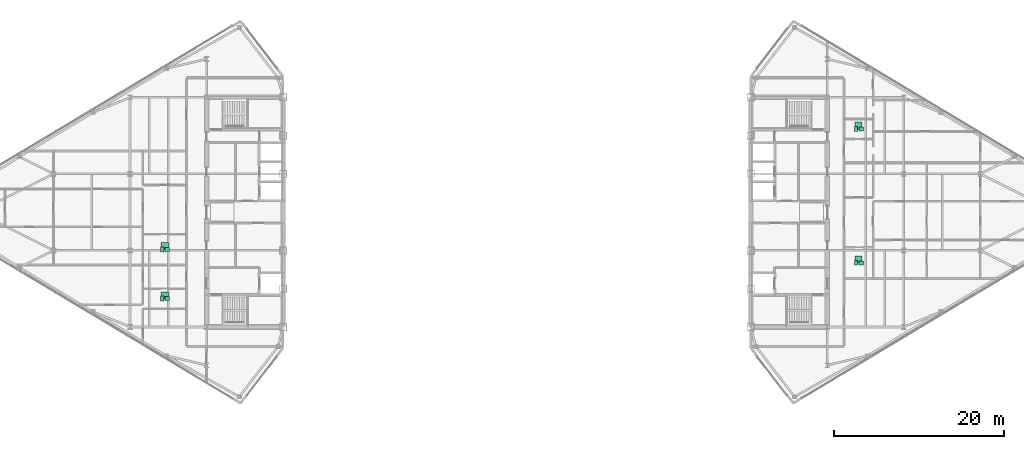
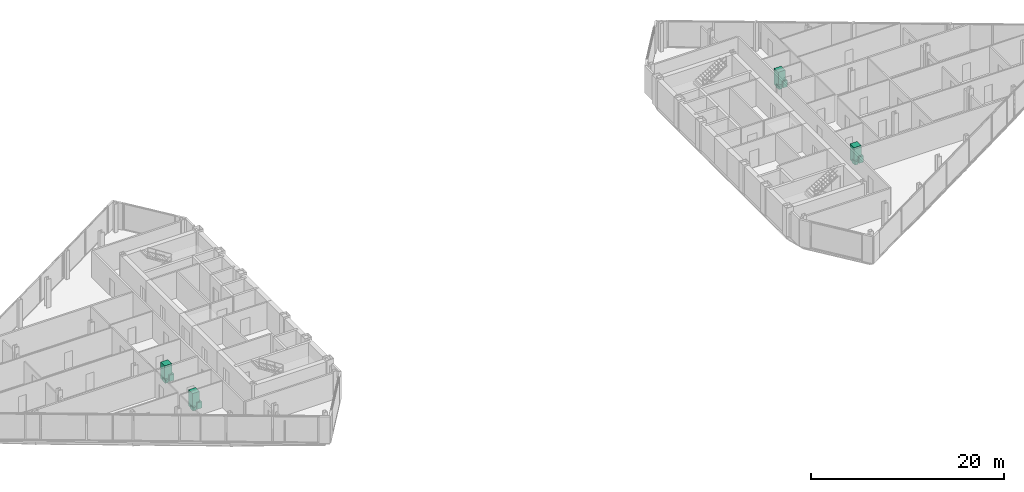
# One storey, part 26 of 26: 12 sanitary terminals.
"""IFC4 building model written with IfcOpenShell, lengths in metres."""

from ifc_helpers import new_model, si_unit, direction, frame, origin, origin_2d, place, context, subcontext, project, spatial, rectangle, extrude, source, transform, mapped, material, type_object, type_shapes, element, save


model = new_model("IFC4")

# Units and contexts
model_context = context("Model", 3, precision=1e-05, world=origin(), true_north=direction((0.0, 1.0)))
body_context = subcontext(model_context, "Body", "Model", "MODEL_VIEW")
ifc_project = project(units=[si_unit("LENGTHUNIT", "METRE"), si_unit("AREAUNIT", "SQUARE_METRE"), si_unit("VOLUMEUNIT", "CUBIC_METRE"), si_unit("PLANEANGLEUNIT", "RADIAN"), si_unit("MASSUNIT", "GRAM", prefix="KILO")], contexts=[model_context])

# Site, building, storey
site_placement = place(None, origin())
site = spatial("IfcSite", under=ifc_project, at=site_placement, CompositionType="ELEMENT")
building_placement = place(site_placement, origin())
building = spatial("IfcBuilding", under=site, at=building_placement, Name="Seokmaru Belvedere", CompositionType="ELEMENT")
storey_placement = place(building_placement, frame((0.0, 0.0, 199.5)))
storey = spatial("IfcBuildingStorey", under=building, at=storey_placement, Name="L53", CompositionType="ELEMENT", Elevation=199.5)

# Sanitary terminals
ifc_material_1 = material(Name="Vitreous China Sanitaryware")
sanitary_terminal_type_1 = type_object("IfcSanitaryTerminalType", Name="Wall-Hung Vitreous China WC Pan", PredefinedType="TOILETPAN", material=ifc_material_1)
shared_shape_1 = source(origin(), body_context, "Body", "SweptSolid", [
    extrude(rectangle(XDim=0.3798828125, YDim=0.56005859375, at=origin_2d()), origin(), (0.0, 0.0, 1.0), 0.419921875),
])
type_shapes(sanitary_terminal_type_1, [shared_shape_1])
for number, where, z_axis, x_axis, name in (
    (1, (-41.72509765625, -10.169921875, 0.0), (0.0, 0.0, 1.0), (1.0, 0.0, 0.0), "L53 Vitreous China WC 0255"),
    (2, (-41.72509765625, -4.39208984375, 0.0), (0.0, 0.0, 1.0), (1.0, 0.0, 0.0), "L53 Vitreous China WC 0256"),
    (3, (39.875, -5.965087890625, 0.0), (0.0, 0.0, 1.0), (1.0, 0.0, 0.0), "L53 Vitreous China WC 0257"),
    (4, (39.875, 9.77001953125, 0.0), (0.0, 0.0, 1.0), (1.0, 0.0, 0.0), "L53 Vitreous China WC 0258"),
):
    element("IfcSanitaryTerminal", number, at=place(storey_placement, frame(where, z_axis=z_axis, x_axis=x_axis)), inside=storey, type_object=sanitary_terminal_type_1, Name=name, PredefinedType="TOILETPAN", context=body_context, shape_type="MappedRepresentation", body=[
        mapped(shared_shape_1, transform((0.0, 0.0, 0.0), scale=1.0)),
    ])
sanitary_terminal_type_2 = type_object("IfcSanitaryTerminalType", Name="Countertop Ceramic Washhand Basin", PredefinedType="WASHHANDBASIN", material=ifc_material_1)
shared_shape_2 = source(origin(), body_context, "Body", "SweptSolid", [
    extrude(rectangle(XDim=0.550048828125, YDim=0.449951171875, at=origin_2d()), origin(), (0.0, 0.0, 1.0), 0.820068359375),
])
type_shapes(sanitary_terminal_type_2, [shared_shape_2])
for number, where, z_axis, x_axis, name in (
    (5, (-41.125, -10.169921875, 0.0), (0.0, 0.0, 1.0), (1.0, 0.0, 0.0), "L53 Ceramic Washhand Basin 0255"),
    (6, (-41.125, -4.39208984375, 0.0), (0.0, 0.0, 1.0), (1.0, 0.0, 0.0), "L53 Ceramic Washhand Basin 0256"),
    (7, (40.47509765625, -5.965087890625, 0.0), (0.0, 0.0, 1.0), (1.0, 0.0, 0.0), "L53 Ceramic Washhand Basin 0257"),
    (8, (40.47509765625, 9.77001953125, 0.0), (0.0, 0.0, 1.0), (1.0, 0.0, 0.0), "L53 Ceramic Washhand Basin 0258"),
):
    element("IfcSanitaryTerminal", number, at=place(storey_placement, frame(where, z_axis=z_axis, x_axis=x_axis)), inside=storey, type_object=sanitary_terminal_type_2, Name=name, PredefinedType="WASHHANDBASIN", context=body_context, shape_type="MappedRepresentation", body=[
        mapped(shared_shape_2, transform((0.0, 0.0, 0.0), scale=1.0)),
    ])
ifc_material_2 = material(Name="Stainless Steel 316", Category="steel")
sanitary_terminal_type_3 = type_object("IfcSanitaryTerminalType", Name="Walk-In Thermostatic Rain Shower Enclosure", PredefinedType="SHOWER", material=ifc_material_2)
shared_shape_3 = source(origin(), body_context, "Body", "SweptSolid", [
    extrude(rectangle(XDim=0.85009765625, YDim=0.85009765625, at=origin_2d()), origin(), (0.0, 0.0, 1.0), 2.050048828125),
])
type_shapes(sanitary_terminal_type_3, [shared_shape_3])
for number, where, z_axis, x_axis, name in (
    (9, (-41.425048828125, -9.7900390625, 0.0), (0.0, 0.0, 1.0), (1.0, 0.0, 0.0), "L53 Walk-In Shower 0255"),
    (10, (-41.425048828125, -4.011962890625, 0.0), (0.0, 0.0, 1.0), (1.0, 0.0, 0.0), "L53 Walk-In Shower 0256"),
    (11, (40.175048828125, -5.5849609375, 0.0), (0.0, 0.0, 1.0), (1.0, 0.0, 0.0), "L53 Walk-In Shower 0257"),
    (12, (40.175048828125, 10.14990234375, 0.0), (0.0, 0.0, 1.0), (1.0, 0.0, 0.0), "L53 Walk-In Shower 0258"),
):
    element("IfcSanitaryTerminal", number, at=place(storey_placement, frame(where, z_axis=z_axis, x_axis=x_axis)), inside=storey, type_object=sanitary_terminal_type_3, Name=name, PredefinedType="SHOWER", context=body_context, shape_type="MappedRepresentation", body=[
        mapped(shared_shape_3, transform((0.0, 0.0, 0.0), scale=1.0)),
    ])

save(model, "model.ifc")
